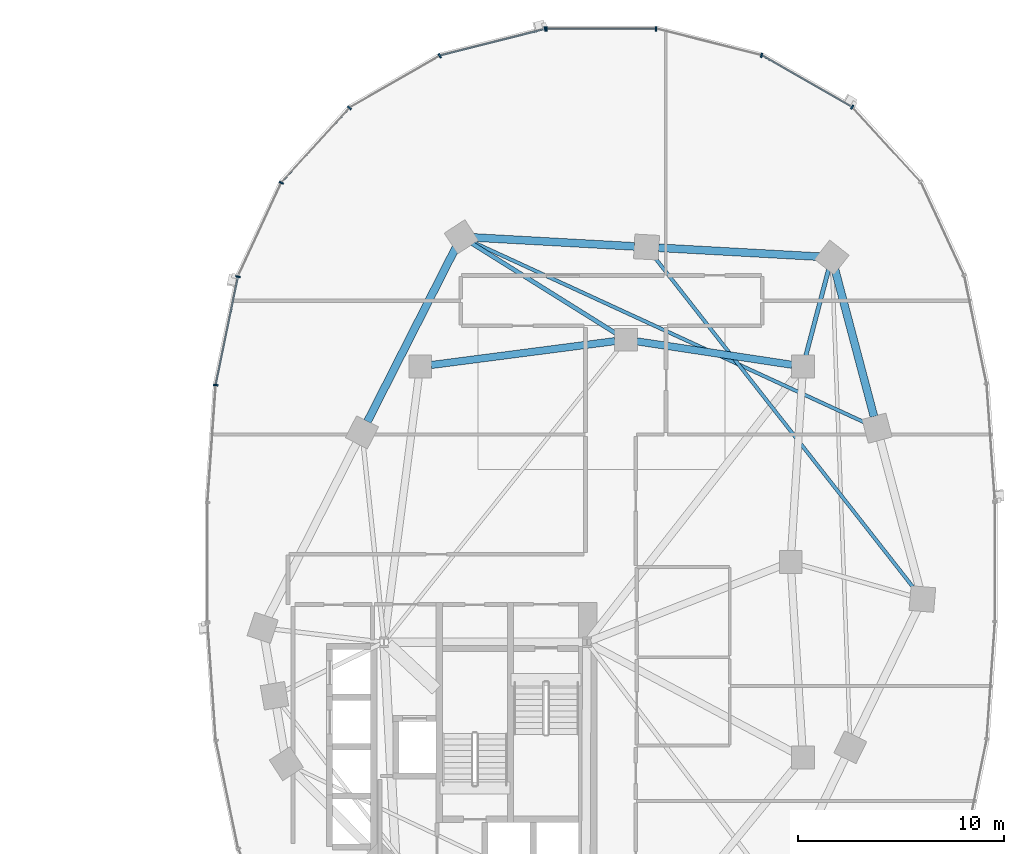
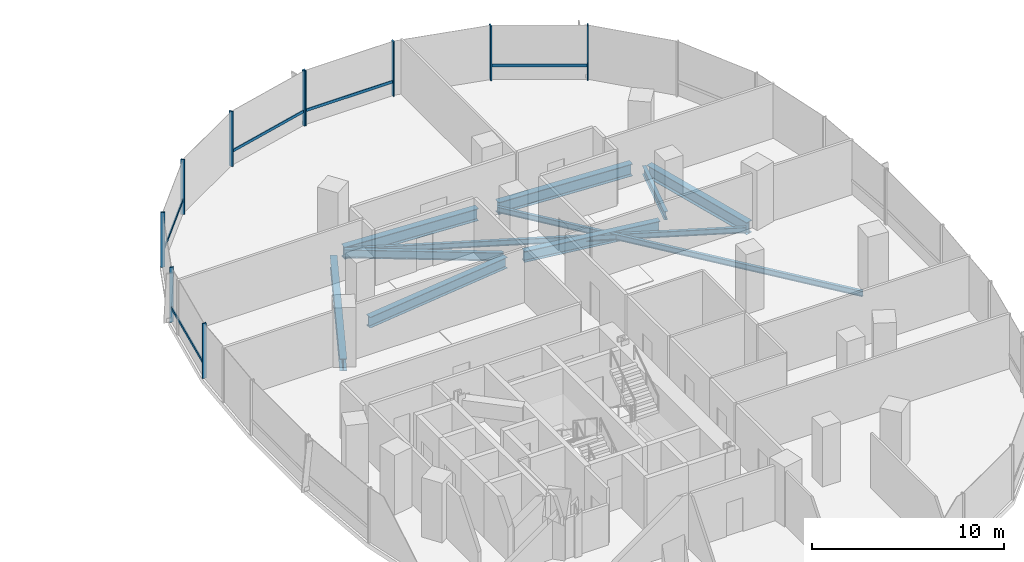
# One storey, part 7 of 22: 15 members, 10 beams, 2 elements without a shape of their own.
"""IFC4 building model written with IfcOpenShell, lengths in metres."""

from ifc_helpers import new_model, si_unit, direction, frame, origin, origin_2d, place, context, subcontext, project, spatial, rectangle, i_section, extrude, material, material_profile, profile_set, type_object, element, aggregate, save


model = new_model("IFC4")

# Units and contexts
model_context = context("Model", 3, precision=1e-05, world=origin(), true_north=direction((0.0, 1.0)))
body_context = subcontext(model_context, "Body", "Model", "MODEL_VIEW")
ifc_project = project(units=[si_unit("LENGTHUNIT", "METRE"), si_unit("AREAUNIT", "SQUARE_METRE"), si_unit("VOLUMEUNIT", "CUBIC_METRE"), si_unit("PLANEANGLEUNIT", "RADIAN"), si_unit("MASSUNIT", "GRAM", prefix="KILO"), si_unit("THERMODYNAMICTEMPERATUREUNIT", "KELVIN"), si_unit("POWERUNIT", "WATT")], contexts=[model_context])

# Site, building, storey
site_placement = place(None, origin())
site = spatial("IfcSite", under=ifc_project, at=site_placement, CompositionType="ELEMENT")
building_placement = place(site_placement, origin())
building = spatial("IfcBuilding", under=site, at=building_placement, Name="Cundina Bronze Exchange", CompositionType="ELEMENT")
storey_placement = place(building_placement, frame((0.0, 0.0, 35.39990234375)))
storey = spatial("IfcBuildingStorey", under=building, at=storey_placement, Name="L08", CompositionType="ELEMENT", Elevation=35.39990234375)

# Beams
ifc_material_1 = material(Name="Steel ASTM A992 Grade 50", Category="steel")
ifc_material_profile_1 = material_profile(ifc_material_1, i_section(OverallWidth=0.2099609375, OverallDepth=0.532958984375, WebThickness=0.01025390625, FlangeThickness=0.015625, FilletRadius=0.013916015625, at=origin_2d()), Name="W21X62", Category="steel")
ifc_profile_set_1 = profile_set([ifc_material_profile_1], Name="Steel ASTM A992 Grade 50")
beam_type_1 = type_object("IfcBeamType", Name="BM-FLR-W21B", PredefinedType="BEAM", material=ifc_profile_set_1)
beam_1_placement = place(storey_placement, frame((41.9375, 10.020263671875, -0.56640625), z_axis=(0.255373327887, 0.966842522546, 0.0), x_axis=(-0.966842522546, 0.255373327887, 0.0)))
element("IfcBeam", 1, at=beam_1_placement, inside=storey, type_object=beam_type_1, Name="L08 Leg E Chordal Floor Beam 10", PredefinedType="BEAM", context=body_context, shape_type="SweptSolid", body=[
    extrude(i_section(OverallWidth=0.2099609375, OverallDepth=0.532958984375, WebThickness=0.01025390625, FlangeThickness=0.015625, FilletRadius=0.013916015625, at=origin_2d()), origin(), (0.0, 0.0, 1.0), 4.355712890625),
])
beam_2_placement = place(storey_placement, frame((32.743896484375, 11.085205078125, -0.56640625), z_axis=(-0.848014812458, 0.529972525563, 0.0), x_axis=(-0.529972525563, -0.848014812458, 0.0)))
element("IfcBeam", 2, at=beam_2_placement, inside=storey, type_object=beam_type_1, Name="L08 Leg E Chordal Floor Beam 12", PredefinedType="BEAM", context=body_context, shape_type="SweptSolid", body=[
    extrude(i_section(OverallWidth=0.2099609375, OverallDepth=0.532958984375, WebThickness=0.01025390625, FlangeThickness=0.015625, FilletRadius=0.013916015625, at=origin_2d()), origin(), (0.0, 0.0, 1.0), 8.30810546875),
])
ifc_material_profile_2 = material_profile(ifc_material_1, i_section(OverallWidth=0.172119140625, OverallDepth=0.35791015625, WebThickness=0.0078125, FlangeThickness=0.01318359375, FilletRadius=0.010009765625, at=origin_2d()), Name="W14X38", Category="steel")
ifc_profile_set_2 = profile_set([ifc_material_profile_2], Name="Steel ASTM A992 Grade 50")
beam_type_2 = type_object("IfcBeamType", Name="BM-JST-W14", PredefinedType="JOIST", material=ifc_profile_set_2)
beam_3_placement = place(storey_placement, frame((47.2373046875, -1.337158203125, -0.47900390625), z_axis=(-0.616803089524, 0.787117493614, 0.0), x_axis=(-0.787117493614, -0.616803089524, 0.0)))
element("IfcBeam", 3, at=beam_3_placement, inside=storey, type_object=beam_type_2, Name="L08 Leg E Lobe Floor Joist 08-11", PredefinedType="JOIST", context=body_context, shape_type="SweptSolid", body=[
    extrude(i_section(OverallWidth=0.172119140625, OverallDepth=0.35791015625, WebThickness=0.0078125, FlangeThickness=0.01318359375, FilletRadius=0.010009765625, at=origin_2d()), origin(), (0.0, 0.0, 1.0), 20.548828125),
])
beam_4_placement = place(storey_placement, frame((44.865966796875, 6.745849609375, -0.47900390625), z_axis=(-0.908351511887, 0.418207521277, 0.0), x_axis=(-0.418207521277, -0.908351511887, 0.0)))
element("IfcBeam", 4, at=beam_4_placement, inside=storey, type_object=beam_type_2, Name="L08 Leg E Lobe Floor Joist 09-12", PredefinedType="JOIST", context=body_context, shape_type="SweptSolid", body=[
    extrude(i_section(OverallWidth=0.172119140625, OverallDepth=0.35791015625, WebThickness=0.0078125, FlangeThickness=0.01318359375, FilletRadius=0.010009765625, at=origin_2d()), origin(), (0.0, 0.0, 1.0), 21.062255859375),
])
ifc_material_profile_3 = material_profile(ifc_material_1, i_section(OverallWidth=0.35498046875, OverallDepth=0.695068359375, WebThickness=0.015380859375, FlangeThickness=0.02490234375, FilletRadius=0.01806640625, at=origin_2d()), Name="W27X146", Category="steel")
ifc_profile_set_3 = profile_set([ifc_material_profile_3], Name="Steel ASTM A992 Grade 50")
beam_type_3 = type_object("IfcBeamType", Name="BM-RING-W27", PredefinedType="USERDEFINED", material=ifc_profile_set_3)
beam_5_placement = place(storey_placement, frame((41.26806640625, 9.580322265625, -0.6474609375), z_axis=(-0.988767489563, 0.149461873341, 0.0), x_axis=(-0.149461873341, -0.988767489563, 0.0)))
element("IfcBeam", 5, at=beam_5_placement, inside=storey, type_object=beam_type_3, Name="L08 E Inner Structural Ring Girder 05", ObjectType="GIRDER", PredefinedType="USERDEFINED", context=body_context, shape_type="SweptSolid", body=[
    extrude(i_section(OverallWidth=0.35498046875, OverallDepth=0.695068359375, WebThickness=0.015380859375, FlangeThickness=0.02490234375, FilletRadius=0.01806640625, at=origin_2d()), origin(), (0.0, 0.0, 1.0), 7.621826171875),
])
beam_6_placement = place(storey_placement, frame((32.66650390625, 10.730712890625, -0.6474609375), z_axis=(-0.991654577907, -0.128923225666, 0.0), x_axis=(0.128923225666, -0.991654577907, 0.0)))
element("IfcBeam", 6, at=beam_6_placement, inside=storey, type_object=beam_type_3, Name="L08 E Inner Structural Ring Girder 06", ObjectType="GIRDER", PredefinedType="USERDEFINED", context=body_context, shape_type="SweptSolid", body=[
    extrude(i_section(OverallWidth=0.35498046875, OverallDepth=0.695068359375, WebThickness=0.015380859375, FlangeThickness=0.02490234375, FilletRadius=0.01806640625, at=origin_2d()), origin(), (0.0, 0.0, 1.0), 9.00830078125),
])
ifc_material_profile_4 = material_profile(ifc_material_1, i_section(OverallWidth=0.381103515625, OverallDepth=0.77294921875, WebThickness=0.0166015625, FlangeThickness=0.027099609375, FilletRadius=0.01904296875, at=origin_2d()), Name="W30X173", Category="steel")
ifc_profile_set_4 = profile_set([ifc_material_profile_4], Name="Steel ASTM A992 Grade 50")
beam_type_4 = type_object("IfcBeamType", Name="BM-RING-W30", PredefinedType="USERDEFINED", material=ifc_profile_set_4)
beam_7_placement = place(storey_placement, frame((45.249267578125, 7.068359375, -0.6865234375), z_axis=(-0.256208567826, 0.966621523541, 0.0), x_axis=(-0.966621523541, -0.256208567826, 0.0)))
element("IfcBeam", 7, at=beam_7_placement, inside=storey, type_object=beam_type_4, Name="L08 E Perimeter Ring Girder 09", ObjectType="GIRDER", PredefinedType="USERDEFINED", context=body_context, shape_type="SweptSolid", body=[
    extrude(i_section(OverallWidth=0.381103515625, OverallDepth=0.77294921875, WebThickness=0.0166015625, FlangeThickness=0.027099609375, FilletRadius=0.01904296875, at=origin_2d()), origin(), (0.0, 0.0, 1.0), 7.41064453125),
])
for number, where, z_axis, x_axis, name in (
    (8, (42.61279296875, 14.83251953125, -0.6865234375), (-0.998459969805, 0.055476920391, 0.0), (-0.055476920391, -0.998459969805, 0.0), "L08 E Perimeter Ring Girder 10"),
    (9, (33.61279296875, 15.33251953125, -0.6865234375), (-0.998459969805, 0.055476920391, 0.0), (-0.055476920391, -0.998459969805, 0.0), "L08 E Perimeter Ring Girder 11"),
):
    element("IfcBeam", number, at=place(storey_placement, frame(where, z_axis=z_axis, x_axis=x_axis)), inside=storey, type_object=beam_type_4, Name=name, ObjectType="GIRDER", PredefinedType="USERDEFINED", context=body_context, shape_type="SweptSolid", body=[
        extrude(i_section(OverallWidth=0.381103515625, OverallDepth=0.77294921875, WebThickness=0.0166015625, FlangeThickness=0.027099609375, FilletRadius=0.01904296875, at=origin_2d()), origin(), (0.0, 0.0, 1.0), 7.837646484375),
    ])
beam_8_placement = place(storey_placement, frame((24.93359375, 15.275634765625, -0.6865234375), z_axis=(-0.452819633606, -0.891602141889, 0.0), x_axis=(0.891602141889, -0.452819633606, 0.0)))
element("IfcBeam", 10, at=beam_8_placement, inside=storey, type_object=beam_type_4, Name="L08 E Perimeter Ring Girder 12", ObjectType="GIRDER", PredefinedType="USERDEFINED", context=body_context, shape_type="SweptSolid", body=[
    extrude(i_section(OverallWidth=0.381103515625, OverallDepth=0.77294921875, WebThickness=0.0166015625, FlangeThickness=0.027099609375, FilletRadius=0.01904296875, at=origin_2d()), origin(), (0.0, 0.0, 1.0), 9.47900390625),
])

# Curtain wall, members
ifc_material_2 = material(Name="Anodised Bronze Aluminium 6063-T6", Category="aluminium")
curtain_wall_type = type_object("IfcCurtainWallType", Name="CWS-TRD-LOW", PredefinedType="NOTDEFINED", material=ifc_material_2)
curtain_wall_1_placement = place(storey_placement, origin())
curtain_wall_1 = element("IfcCurtainWall", 11, at=curtain_wall_1_placement, inside=storey, type_object=curtain_wall_type, Name="L08 CW-02 Curtain Wall Run CWR-L08-E1", PredefinedType="NOTDEFINED")
ifc_material_profile_5 = material_profile(ifc_material_2, rectangle(XDim=0.074951171875, YDim=0.219970703125, at=origin_2d()), Name="AL75X220", Category="aluminium")
ifc_profile_set_5 = profile_set([ifc_material_profile_5], Name="Anodised Bronze Aluminium 6063-T6")
member_type_1 = type_object("IfcMemberType", Name="CWM-MUL-220", PredefinedType="MULLION", material=ifc_profile_set_5)
member_1_placement = place(storey_placement, frame((44.189697265625, 22.097412109375, 0.0), z_axis=(0.0, 0.0, 1.0), x_axis=(-0.867070701164, 0.498185105339, 0.0)))
member_1 = element("IfcMember", 12, at=member_1_placement, type_object=member_type_1, Name="CW-02 Mullion 5", PredefinedType="MULLION", context=body_context, shape_type="SweptSolid", body=[
    extrude(rectangle(XDim=0.074951171875, YDim=0.219970703125, at=origin_2d()), origin(), (0.0, 0.0, 1.0), 3.5),
])
member_2_placement = place(storey_placement, frame((39.78515625, 24.61669921875, 0.0), z_axis=(0.0, 0.0, 1.0), x_axis=(-0.969488149345, 0.245138182011, 0.0)))
member_2 = element("IfcMember", 13, at=member_2_placement, type_object=member_type_1, Name="CW-02 Mullion 6", PredefinedType="MULLION", context=body_context, shape_type="SweptSolid", body=[
    extrude(rectangle(XDim=0.074951171875, YDim=0.219970703125, at=origin_2d()), origin(), (0.0, 0.0, 1.0), 3.5),
])
member_3_placement = place(storey_placement, frame((34.654541015625, 25.905029296875, 0.0), z_axis=(0.0, 0.0, 1.0), x_axis=(-1.0, 0.0, 0.0)))
member_3 = element("IfcMember", 14, at=member_3_placement, type_object=member_type_1, Name="CW-02 Mullion 7", PredefinedType="MULLION", context=body_context, shape_type="SweptSolid", body=[
    extrude(rectangle(XDim=0.074951171875, YDim=0.219970703125, at=origin_2d()), origin(), (0.0, 0.0, 1.0), 3.5),
])
member_4_placement = place(storey_placement, frame((29.345458984375, 25.905029296875, 0.0), z_axis=(0.0, 0.0, 1.0), x_axis=(-1.0, 0.0, 0.0)))
member_4 = element("IfcMember", 15, at=member_4_placement, type_object=member_type_1, Name="CW-02 End Mullion", PredefinedType="MULLION", context=body_context, shape_type="SweptSolid", body=[
    extrude(rectangle(XDim=0.074951171875, YDim=0.219970703125, at=origin_2d()), origin(), (0.0, 0.0, 1.0), 3.5),
])

curtain_wall_2_placement = place(storey_placement, origin())
curtain_wall_2 = element("IfcCurtainWall", 16, at=curtain_wall_2_placement, inside=storey, type_object=curtain_wall_type, Name="L08 CW-02 Curtain Wall Run CWR-L08-E2", PredefinedType="NOTDEFINED")
member_5_placement = place(storey_placement, frame((29.27392578125, 25.89599609375, 0.0), z_axis=(0.0, 0.0, 1.0), x_axis=(-0.969488149345, -0.245138182011, 0.0)))
member_5 = element("IfcMember", 17, at=member_5_placement, type_object=member_type_1, Name="CW-02 Mullion 1", PredefinedType="MULLION", context=body_context, shape_type="SweptSolid", body=[
    extrude(rectangle(XDim=0.074951171875, YDim=0.219970703125, at=origin_2d()), origin(), (0.0, 0.0, 1.0), 3.5),
])
member_6_placement = place(storey_placement, frame((24.151123046875, 24.591064453125, 0.0), z_axis=(0.0, 0.0, 1.0), x_axis=(-0.867070701164, -0.498185105339, 0.0)))
member_6 = element("IfcMember", 18, at=member_6_placement, type_object=member_type_1, Name="CW-02 Mullion 2", PredefinedType="MULLION", context=body_context, shape_type="SweptSolid", body=[
    extrude(rectangle(XDim=0.074951171875, YDim=0.219970703125, at=origin_2d()), origin(), (0.0, 0.0, 1.0), 3.5),
])
member_7_placement = place(storey_placement, frame((19.760498046875, 22.0576171875, 0.0), z_axis=(0.0, 0.0, 1.0), x_axis=(-0.674302387584, -0.738455340626, 0.0)))
member_7 = element("IfcMember", 19, at=member_7_placement, type_object=member_type_1, Name="CW-02 Mullion 3", PredefinedType="MULLION", context=body_context, shape_type="SweptSolid", body=[
    extrude(rectangle(XDim=0.074951171875, YDim=0.219970703125, at=origin_2d()), origin(), (0.0, 0.0, 1.0), 3.5),
])
member_8_placement = place(storey_placement, frame((16.455810546875, 18.423583984375, 0.0), z_axis=(0.0, 0.0, 1.0), x_axis=(-0.42087749791, -0.907117485088, 0.0)))
member_8 = element("IfcMember", 20, at=member_8_placement, type_object=member_type_1, Name="CW-02 Mullion 4", PredefinedType="MULLION", context=body_context, shape_type="SweptSolid", body=[
    extrude(rectangle(XDim=0.074951171875, YDim=0.219970703125, at=origin_2d()), origin(), (0.0, 0.0, 1.0), 3.5),
])
member_9_placement = place(storey_placement, frame((14.348876953125, 13.861328125, 0.0), z_axis=(0.0, 0.0, 1.0), x_axis=(-0.201419845156, -0.979505000486, 0.0)))
member_9 = element("IfcMember", 21, at=member_9_placement, type_object=member_type_1, Name="CW-02 Mullion 5", PredefinedType="MULLION", context=body_context, shape_type="SweptSolid", body=[
    extrude(rectangle(XDim=0.074951171875, YDim=0.219970703125, at=origin_2d()), origin(), (0.0, 0.0, 1.0), 3.5),
])
member_10_placement = place(storey_placement, frame((13.27099609375, 8.591552734375, 0.0), z_axis=(0.0, 0.0, 1.0), x_axis=(-0.070278787473, -0.997527389113, 0.0)))
member_10 = element("IfcMember", 22, at=member_10_placement, type_object=member_type_1, Name="CW-02 Mullion 6", PredefinedType="MULLION", context=body_context, shape_type="SweptSolid", body=[
    extrude(rectangle(XDim=0.074951171875, YDim=0.219970703125, at=origin_2d()), origin(), (0.0, 0.0, 1.0), 3.5),
])

# Member
ifc_material_profile_6 = material_profile(ifc_material_2, rectangle(XDim=0.070068359375, YDim=0.179931640625, at=origin_2d()), Name="AL70X180", Category="aluminium")
ifc_profile_set_6 = profile_set([ifc_material_profile_6], Name="Anodised Bronze Aluminium 6063-T6")
member_type_2 = type_object("IfcMemberType", Name="CWM-TRN-180", PredefinedType="USERDEFINED", material=ifc_profile_set_6)
member_11_placement = place(storey_placement, frame((44.154052734375, 22.117919921875, 0.920166015625), z_axis=(-0.867097475651, 0.498138502546, 0.0), x_axis=(-0.498138502546, -0.867097475651, 0.0)))
member_11 = element("IfcMember", 23, at=member_11_placement, type_object=member_type_2, Name="CW-02 Spandrel Transom 5", ObjectType="TRANSOM", PredefinedType="USERDEFINED", context=body_context, shape_type="SweptSolid", body=[
    extrude(rectangle(XDim=0.070068359375, YDim=0.179931640625, at=origin_2d()), origin(), (0.0, 0.0, 1.0), 5.00634765625),
])

member_12_placement = place(storey_placement, frame((34.61328125, 25.905029296875, 0.920166015625), z_axis=(-1.0, 0.0, 0.0), x_axis=(0.0, -1.0, 0.0)))
member_12 = element("IfcMember", 24, at=member_12_placement, type_object=member_type_2, Name="CW-02 Spandrel Transom 7", ObjectType="TRANSOM", PredefinedType="USERDEFINED", context=body_context, shape_type="SweptSolid", body=[
    extrude(rectangle(XDim=0.070068359375, YDim=0.179931640625, at=origin_2d()), origin(), (0.0, 0.0, 1.0), 5.2265625),
])

aggregate(curtain_wall_1, [member_1, member_11, member_2, member_3, member_4, member_12])

member_13_placement = place(storey_placement, frame((29.23388671875, 25.885986328125, 0.920166015625), z_axis=(-0.969483968866, -0.245154714644, 0.0), x_axis=(0.245154714644, -0.969483968866, 0.0)))
member_13 = element("IfcMember", 25, at=member_13_placement, type_object=member_type_2, Name="CW-02 Spandrel Transom 1", ObjectType="TRANSOM", PredefinedType="USERDEFINED", context=body_context, shape_type="SweptSolid", body=[
    extrude(rectangle(XDim=0.070068359375, YDim=0.179931640625, at=origin_2d()), origin(), (0.0, 0.0, 1.0), 5.21826171875),
])

member_14_placement = place(storey_placement, frame((19.73291015625, 22.027099609375, 0.920166015625), z_axis=(-0.674302794847, -0.738454968743, 0.0), x_axis=(0.738454968743, -0.674302794847, 0.0)))
member_14 = element("IfcMember", 26, at=member_14_placement, type_object=member_type_2, Name="CW-02 Spandrel Transom 3", ObjectType="TRANSOM", PredefinedType="USERDEFINED", context=body_context, shape_type="SweptSolid", body=[
    extrude(rectangle(XDim=0.070068359375, YDim=0.179931640625, at=origin_2d()), origin(), (0.0, 0.0, 1.0), 4.848388671875),
])

member_15_placement = place(storey_placement, frame((14.340576171875, 13.821044921875, 0.920166015625), z_axis=(-0.201427712708, -0.979503382615, 0.0), x_axis=(0.979503382615, -0.201427712708, 0.0)))
member_15 = element("IfcMember", 27, at=member_15_placement, type_object=member_type_2, Name="CW-02 Spandrel Transom 5", ObjectType="TRANSOM", PredefinedType="USERDEFINED", context=body_context, shape_type="SweptSolid", body=[
    extrude(rectangle(XDim=0.070068359375, YDim=0.179931640625, at=origin_2d()), origin(), (0.0, 0.0, 1.0), 5.291748046875),
])

aggregate(curtain_wall_2, [member_5, member_13, member_6, member_7, member_14, member_8, member_9, member_15, member_10])

save(model, "model.ifc")
